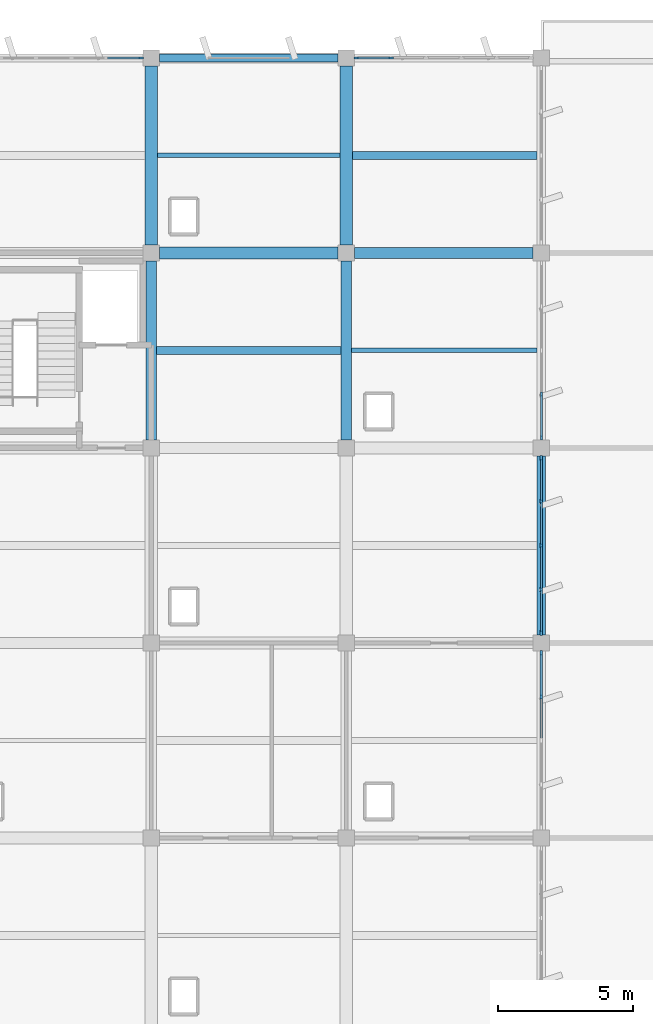
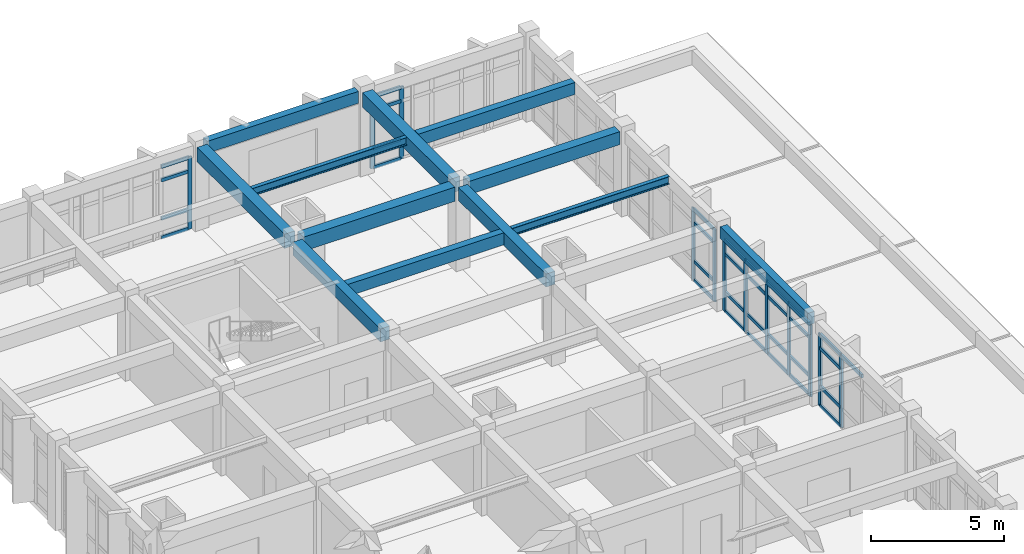
# One storey, part 24 of 62: 47 members, 10 beams, 5 elements without a shape of their own.
"""IFC4 building model written with IfcOpenShell, lengths in metres."""

from ifc_helpers import new_model, si_unit, direction, frame, origin, origin_2d, place, context, subcontext, project, spatial, rectangle, i_section, extrude, material, layer, layer_set, material_profile, profile_set, type_object, element, aggregate, save


model = new_model("IFC4")

# Units and contexts
model_context = context("Model", 3, precision=1e-05, world=origin(), true_north=direction((0.0, 1.0)))
body_context = subcontext(model_context, "Body", "Model", "MODEL_VIEW")
ifc_project = project(units=[si_unit("LENGTHUNIT", "METRE"), si_unit("AREAUNIT", "SQUARE_METRE"), si_unit("VOLUMEUNIT", "CUBIC_METRE"), si_unit("PLANEANGLEUNIT", "RADIAN"), si_unit("MASSUNIT", "GRAM", prefix="KILO")], contexts=[model_context])

# Site, building, storey
site_placement = place(None, origin())
site = spatial("IfcSite", under=ifc_project, at=site_placement, CompositionType="ELEMENT")
building_placement = place(site_placement, origin())
building = spatial("IfcBuilding", under=site, at=building_placement, Name="Kavelor Marine Aquarium", CompositionType="ELEMENT")
storey_placement = place(building_placement, frame((0.0, 0.0, 13.5)))
storey = spatial("IfcBuildingStorey", under=building, at=storey_placement, Name="L03", CompositionType="ELEMENT", Elevation=13.5)

# Beams
ifc_material_1 = material(Name="Concrete C40/50", Category="concrete")
ifc_material_profile_1 = material_profile(ifc_material_1, rectangle(XDim=0.449951171875, YDim=0.64990234375, at=origin_2d()), Name="RC-BM 450x650")
ifc_profile_set_1 = profile_set([ifc_material_profile_1], Name="Concrete C40/50")
beam_type_1 = type_object("IfcBeamType", Name="BM-B3", PredefinedType="BEAM", material=ifc_profile_set_1)
beam_1_placement = place(storey_placement, frame((133.10009765625, 103.60009765625, 3.534912109375), z_axis=(1.0, 0.0, 0.0), x_axis=(0.0, 1.0, 0.0)))
element("IfcBeam", 1, at=beam_1_placement, inside=storey, type_object=beam_type_1, Name="bm:x:L03:L04:18_14", PredefinedType="BEAM", context=body_context, shape_type="SweptSolid", body=[
    extrude(rectangle(XDim=0.449951171875, YDim=0.64990234375, at=origin_2d()), origin(), (0.0, 0.0, 1.0), 6.599853515625),
])
for number, where, z_axis, x_axis, name in (
    (2, (132.800048828125, 103.89990234375, 3.534912109375), (0.0, 1.0, 0.0), (-1.0, 0.0, 0.0), "bm:y:L03:L04:18_14"),
    (3, (140.0, 103.89990234375, 3.534912109375), (0.0, 1.0, 0.0), (-1.0, 0.0, 0.0), "bm:y:L03:L04:19_14"),
):
    element("IfcBeam", number, at=place(storey_placement, frame(where, z_axis=z_axis, x_axis=x_axis)), inside=storey, type_object=beam_type_1, Name=name, PredefinedType="BEAM", context=body_context, shape_type="SweptSolid", body=[
        extrude(rectangle(XDim=0.449951171875, YDim=0.64990234375, at=origin_2d()), origin(), (0.0, 0.0, 1.0), 6.60009765625),
    ])
ifc_material_2 = material(Name="Concrete C40/50", Category="concrete")
ifc_material_profile_2 = material_profile(ifc_material_2, rectangle(XDim=0.39990234375, YDim=0.60009765625, at=origin_2d()), Name="RC-BM 400x600")
ifc_profile_set_2 = profile_set([ifc_material_profile_2], Name="Concrete C40/50")
beam_type_2 = type_object("IfcBeamType", Name="BM-B4", PredefinedType="BEAM", material=ifc_profile_set_2)
beam_2_placement = place(storey_placement, frame((140.300048828125, 103.60009765625, 3.580078125), z_axis=(1.0, 0.0, 0.0), x_axis=(0.0, 1.0, 0.0)))
element("IfcBeam", 4, at=beam_2_placement, inside=storey, type_object=beam_type_2, Name="bm:x:L03:L04:19_14", PredefinedType="BEAM", context=body_context, shape_type="SweptSolid", body=[
    extrude(rectangle(XDim=0.39990234375, YDim=0.60009765625, at=origin_2d()), origin(), (0.0, 0.0, 1.0), 6.599853515625),
])
for number, where, z_axis, x_axis, name in (
    (5, (132.800048828125, 96.699951171875, 3.56005859375), (0.0, 1.0, 0.0), (-1.0, 0.0, 0.0), "bm:y:L03:L04:18_13"),
    (6, (140.0, 96.699951171875, 3.56005859375), (0.0, 1.0, 0.0), (-1.0, 0.0, 0.0), "bm:y:L03:L04:19_13"),
):
    element("IfcBeam", number, at=place(storey_placement, frame(where, z_axis=z_axis, x_axis=x_axis)), inside=storey, type_object=beam_type_2, Name=name, PredefinedType="BEAM", context=body_context, shape_type="SweptSolid", body=[
        extrude(rectangle(XDim=0.39990234375, YDim=0.60009765625, at=origin_2d()), origin(), (0.0, 0.0, 1.0), 6.60009765625),
    ])
ifc_material_3 = material(Name="Concrete C40/50", Category="concrete")
ifc_material_profile_3 = material_profile(ifc_material_3, rectangle(XDim=0.300048828125, YDim=0.550048828125, at=origin_2d()), Name="RC-JS 300x550")
ifc_profile_set_3 = profile_set([ifc_material_profile_3], Name="Concrete C40/50")
beam_type_3 = type_object("IfcBeamType", Name="BM-JS2", PredefinedType="JOIST", material=ifc_profile_set_3)
beam_3_placement = place(storey_placement, frame((133.0, 100.0, 3.5849609375), z_axis=(1.0, 0.0, 0.0), x_axis=(0.0, 1.0, 0.0)))
element("IfcBeam", 7, at=beam_3_placement, inside=storey, type_object=beam_type_3, Name="js:L03:L04:18_13", PredefinedType="JOIST", context=body_context, shape_type="SweptSolid", body=[
    extrude(rectangle(XDim=0.300048828125, YDim=0.550048828125, at=origin_2d()), origin(), (0.0, 0.0, 1.0), 6.800048828125),
])
beam_4_placement = place(storey_placement, frame((140.22509765625, 107.199951171875, 3.60498046875), z_axis=(1.0, 0.0, 0.0), x_axis=(0.0, 1.0, 0.0)))
element("IfcBeam", 8, at=beam_4_placement, inside=storey, type_object=beam_type_3, Name="js:L03:L04:19_14", PredefinedType="JOIST", context=body_context, shape_type="SweptSolid", body=[
    extrude(rectangle(XDim=0.300048828125, YDim=0.550048828125, at=origin_2d()), origin(), (0.0, 0.0, 1.0), 6.824951171875),
])
ifc_material_4 = material(Name="Concrete C40/50", Category="concrete")
ifc_material_profile_4 = material_profile(ifc_material_4, rectangle(XDim=0.300048828125, YDim=0.550048828125, at=origin_2d()), Name="RC-SP 300x550")
ifc_profile_set_4 = profile_set([ifc_material_profile_4], Name="Concrete C40/50")
beam_type_4 = type_object("IfcBeamType", Name="BM-SP2", PredefinedType="SPANDREL", material=ifc_profile_set_4)
beam_5_placement = place(storey_placement, frame((133.10009765625, 110.800048828125, 3.5849609375), z_axis=(1.0, 0.0, 0.0), x_axis=(0.0, 1.0, 0.0)))
element("IfcBeam", 9, at=beam_5_placement, inside=storey, type_object=beam_type_4, Name="bm:x:L03:L04:18_15", PredefinedType="SPANDREL", context=body_context, shape_type="SweptSolid", body=[
    extrude(rectangle(XDim=0.300048828125, YDim=0.550048828125, at=origin_2d()), origin(), (0.0, 0.0, 1.0), 6.599853515625),
])
beam_6_placement = place(storey_placement, frame((147.199951171875, 89.5, 3.60498046875), z_axis=(0.0, 1.0, 0.0), x_axis=(-1.0, 0.0, 0.0)))
element("IfcBeam", 10, at=beam_6_placement, inside=storey, type_object=beam_type_4, Name="bm:y:L03:L04:20_12", PredefinedType="SPANDREL", context=body_context, shape_type="SweptSolid", body=[
    extrude(rectangle(XDim=0.300048828125, YDim=0.550048828125, at=origin_2d()), origin(), (0.0, 0.0, 1.0), 6.60009765625),
])

# Curtain wall, members
ifc_material_5 = material(Name="Thermally Broken Aluminium and Low-E Glass", Category="aluminium")
ifc_layer_1 = layer(ifc_material_5, 0.219970703125)
ifc_layer_set_1 = layer_set([ifc_layer_1], Name="CW-SYS10")
curtain_wall_type_1 = type_object("IfcCurtainWallType", Name="CW-SYS10", PredefinedType="USERDEFINED", material=ifc_layer_set_1)
curtain_wall_1_placement = place(storey_placement, origin())
curtain_wall_1 = element("IfcCurtainWall", 11, at=curtain_wall_1_placement, inside=storey, type_object=curtain_wall_type_1, Name="cw:x:L03:19_15", ObjectType="Curtain Wall", PredefinedType="USERDEFINED")
ifc_material_6 = material(Name="Anodised Aluminium Alloy 6063-T6", Category="aluminium")
ifc_material_profile_5 = material_profile(ifc_material_6, rectangle(XDim=0.074951171875, YDim=0.179931640625, at=origin_2d()), Name="CW-MUL 75x180")
ifc_profile_set_5 = profile_set([ifc_material_profile_5], Name="Anodised Aluminium Alloy 6063-T6")
member_type_1 = type_object("IfcMemberType", Name="CWM-1", PredefinedType="MULLION", material=ifc_profile_set_5)
member_1_placement = place(storey_placement, frame((140.382568359375, 110.800048828125, 0.0), z_axis=(0.0, 0.0, 1.0), x_axis=(0.0, 1.0, 0.0)))
member_1 = element("IfcMember", 12, at=member_1_placement, type_object=member_type_1, Name="CW10 mullion 1", PredefinedType="MULLION", context=body_context, shape_type="SweptSolid", body=[
    extrude(rectangle(XDim=0.074951171875, YDim=0.179931640625, at=origin_2d()), origin(), (0.0, 0.0, 1.0), 3.320068359375),
])
member_2_placement = place(storey_placement, frame((141.64697265625, 110.800048828125, 0.0), z_axis=(0.0, 0.0, 1.0), x_axis=(0.0, 1.0, 0.0)))
member_2 = element("IfcMember", 13, at=member_2_placement, type_object=member_type_1, Name="CW10 mullion 2", PredefinedType="MULLION", context=body_context, shape_type="SweptSolid", body=[
    extrude(rectangle(XDim=0.074951171875, YDim=0.179931640625, at=origin_2d()), origin(), (0.0, 0.0, 1.0), 3.320068359375),
])

ifc_material_7 = material(Name="Thermally Broken Aluminium and Low-E Glass", Category="aluminium")
ifc_layer_2 = layer(ifc_material_7, 0.243896484375)
ifc_layer_set_2 = layer_set([ifc_layer_2], Name="CW-SYS13")
curtain_wall_type_2 = type_object("IfcCurtainWallType", Name="CW-SYS13", PredefinedType="USERDEFINED", material=ifc_layer_set_2)
curtain_wall_2_placement = place(storey_placement, origin())
curtain_wall_2 = element("IfcCurtainWall", 14, at=curtain_wall_2_placement, inside=storey, type_object=curtain_wall_type_2, Name="cw:y:L03:20_13", ObjectType="Curtain Wall", PredefinedType="USERDEFINED")
member_3_placement = place(storey_placement, frame((147.199951171875, 96.782470703125, 0.0), z_axis=(0.0, 0.0, 1.0), x_axis=(-1.0, 0.0, 0.0)))
member_3 = element("IfcMember", 15, at=member_3_placement, type_object=member_type_1, Name="CW13 mullion 1", PredefinedType="MULLION", context=body_context, shape_type="SweptSolid", body=[
    extrude(rectangle(XDim=0.074951171875, YDim=0.179931640625, at=origin_2d()), origin(), (0.0, 0.0, 1.0), 3.320068359375),
])
member_4_placement = place(storey_placement, frame((147.199951171875, 98.37255859375, 0.0), z_axis=(0.0, 0.0, 1.0), x_axis=(-1.0, 0.0, 0.0)))
member_4 = element("IfcMember", 16, at=member_4_placement, type_object=member_type_1, Name="CW13 mullion 2", PredefinedType="MULLION", context=body_context, shape_type="SweptSolid", body=[
    extrude(rectangle(XDim=0.074951171875, YDim=0.179931640625, at=origin_2d()), origin(), (0.0, 0.0, 1.0), 3.320068359375),
])

# Curtain wall, member
ifc_material_8 = material(Name="Thermally Broken Aluminium and Low-E Glass", Category="aluminium")
ifc_layer_3 = layer(ifc_material_8, 0.2041015625)
ifc_layer_set_3 = layer_set([ifc_layer_3], Name="CW-SYS8")
curtain_wall_type_3 = type_object("IfcCurtainWallType", Name="CW-SYS8", PredefinedType="USERDEFINED", material=ifc_layer_set_3)
curtain_wall_3_placement = place(storey_placement, origin())
curtain_wall_3 = element("IfcCurtainWall", 17, at=curtain_wall_3_placement, inside=storey, type_object=curtain_wall_type_3, Name="cw:x:L03:17_15", ObjectType="Curtain Wall", PredefinedType="USERDEFINED")
ifc_material_9 = material(Name="Anodised Aluminium Alloy 6063-T6", Category="aluminium")
ifc_material_profile_6 = material_profile(ifc_material_9, rectangle(XDim=0.080078125, YDim=0.18505859375, at=origin_2d()), Name="CW-MUL 80x185")
ifc_profile_set_6 = profile_set([ifc_material_profile_6], Name="Anodised Aluminium Alloy 6063-T6")
member_type_2 = type_object("IfcMemberType", Name="CWM-2", PredefinedType="MULLION", material=ifc_profile_set_6)
member_5_placement = place(storey_placement, frame((132.422607421875, 110.800048828125, 0.0), z_axis=(0.0, 0.0, 1.0), x_axis=(0.0, 1.0, 0.0)))
member_5 = element("IfcMember", 18, at=member_5_placement, type_object=member_type_2, Name="CW08 mullion 6", PredefinedType="MULLION", context=body_context, shape_type="SweptSolid", body=[
    extrude(rectangle(XDim=0.080078125, YDim=0.18505859375, at=origin_2d()), origin(), (0.0, 0.0, 1.0), 3.320068359375),
])

# Curtain wall, members
ifc_material_10 = material(Name="Thermally Broken Aluminium and Low-E Glass", Category="aluminium")
ifc_layer_4 = layer(ifc_material_10, 0.22802734375)
ifc_layer_set_4 = layer_set([ifc_layer_4], Name="CW-SYS11")
curtain_wall_type_4 = type_object("IfcCurtainWallType", Name="CW-SYS11", PredefinedType="USERDEFINED", material=ifc_layer_set_4)
curtain_wall_4_placement = place(storey_placement, origin())
curtain_wall_4 = element("IfcCurtainWall", 19, at=curtain_wall_4_placement, inside=storey, type_object=curtain_wall_type_4, Name="cw:y:L03:20_11", ObjectType="Curtain Wall", PredefinedType="USERDEFINED")
member_6_placement = place(storey_placement, frame((147.199951171875, 87.2275390625, 0.0), z_axis=(0.0, 0.0, 1.0), x_axis=(-1.0, 0.0, 0.0)))
member_6 = element("IfcMember", 20, at=member_6_placement, type_object=member_type_2, Name="CW11 mullion 4", PredefinedType="MULLION", context=body_context, shape_type="SweptSolid", body=[
    extrude(rectangle(XDim=0.080078125, YDim=0.18505859375, at=origin_2d()), origin(), (0.0, 0.0, 1.0), 3.320068359375),
])
member_7_placement = place(storey_placement, frame((147.199951171875, 88.822509765625, 0.0), z_axis=(0.0, 0.0, 1.0), x_axis=(-1.0, 0.0, 0.0)))
member_7 = element("IfcMember", 21, at=member_7_placement, type_object=member_type_2, Name="CW11 mullion 5", PredefinedType="MULLION", context=body_context, shape_type="SweptSolid", body=[
    extrude(rectangle(XDim=0.080078125, YDim=0.18505859375, at=origin_2d()), origin(), (0.0, 0.0, 1.0), 3.320068359375),
])

ifc_material_11 = material(Name="Thermally Broken Aluminium and Low-E Glass", Category="aluminium")
ifc_layer_5 = layer(ifc_material_11, 0.236083984375)
ifc_layer_set_5 = layer_set([ifc_layer_5], Name="CW-SYS12")
curtain_wall_type_5 = type_object("IfcCurtainWallType", Name="CW-SYS12", PredefinedType="USERDEFINED", material=ifc_layer_set_5)
curtain_wall_5_placement = place(storey_placement, origin())
curtain_wall_5 = element("IfcCurtainWall", 22, at=curtain_wall_5_placement, inside=storey, type_object=curtain_wall_type_5, Name="cw:y:L03:20_12", ObjectType="Curtain Wall", PredefinedType="USERDEFINED")
ifc_material_12 = material(Name="Anodised Aluminium Alloy 6063-T6", Category="aluminium")
ifc_material_profile_7 = material_profile(ifc_material_12, rectangle(XDim=0.0849609375, YDim=0.18994140625, at=origin_2d()), Name="CW-MUL 85x190")
ifc_profile_set_7 = profile_set([ifc_material_profile_7], Name="Anodised Aluminium Alloy 6063-T6")
member_type_3 = type_object("IfcMemberType", Name="CWM-3", PredefinedType="MULLION", material=ifc_profile_set_7)
member_8_placement = place(storey_placement, frame((147.199951171875, 89.574951171875, 0.0), z_axis=(0.0, 0.0, 1.0), x_axis=(-1.0, 0.0, 0.0)))
member_8 = element("IfcMember", 23, at=member_8_placement, type_object=member_type_3, Name="CW12 mullion 1", PredefinedType="MULLION", context=body_context, shape_type="SweptSolid", body=[
    extrude(rectangle(XDim=0.0849609375, YDim=0.18994140625, at=origin_2d()), origin(), (0.0, 0.0, 1.0), 3.320068359375),
])
member_9_placement = place(storey_placement, frame((147.199951171875, 91.172607421875, 0.0), z_axis=(0.0, 0.0, 1.0), x_axis=(-1.0, 0.0, 0.0)))
member_9 = element("IfcMember", 24, at=member_9_placement, type_object=member_type_3, Name="CW12 mullion 2", PredefinedType="MULLION", context=body_context, shape_type="SweptSolid", body=[
    extrude(rectangle(XDim=0.0849609375, YDim=0.18994140625, at=origin_2d()), origin(), (0.0, 0.0, 1.0), 3.320068359375),
])
member_10_placement = place(storey_placement, frame((147.199951171875, 92.800048828125, 0.0), z_axis=(0.0, 0.0, 1.0), x_axis=(-1.0, 0.0, 0.0)))
member_10 = element("IfcMember", 25, at=member_10_placement, type_object=member_type_3, Name="CW12 mullion 3", PredefinedType="MULLION", context=body_context, shape_type="SweptSolid", body=[
    extrude(rectangle(XDim=0.0849609375, YDim=0.18994140625, at=origin_2d()), origin(), (0.0, 0.0, 1.0), 3.320068359375),
])
member_11_placement = place(storey_placement, frame((147.199951171875, 94.427490234375, 0.0), z_axis=(0.0, 0.0, 1.0), x_axis=(-1.0, 0.0, 0.0)))
member_11 = element("IfcMember", 26, at=member_11_placement, type_object=member_type_3, Name="CW12 mullion 4", PredefinedType="MULLION", context=body_context, shape_type="SweptSolid", body=[
    extrude(rectangle(XDim=0.0849609375, YDim=0.18994140625, at=origin_2d()), origin(), (0.0, 0.0, 1.0), 3.320068359375),
])
member_12_placement = place(storey_placement, frame((147.199951171875, 96.02490234375, 0.0), z_axis=(0.0, 0.0, 1.0), x_axis=(-1.0, 0.0, 0.0)))
member_12 = element("IfcMember", 27, at=member_12_placement, type_object=member_type_3, Name="CW12 mullion 5", PredefinedType="MULLION", context=body_context, shape_type="SweptSolid", body=[
    extrude(rectangle(XDim=0.0849609375, YDim=0.18994140625, at=origin_2d()), origin(), (0.0, 0.0, 1.0), 3.320068359375),
])
ifc_material_13 = material(Name="Anodised Aluminium Alloy 6063-T6", Category="aluminium")
ifc_material_profile_8 = material_profile(ifc_material_13, rectangle(XDim=0.074951171875, YDim=0.14990234375, at=origin_2d()), Name="CW-TRN 75x150")
ifc_profile_set_8 = profile_set([ifc_material_profile_8], Name="Anodised Aluminium Alloy 6063-T6")
member_type_4 = type_object("IfcMemberType", Name="CWT-1", PredefinedType="USERDEFINED", material=ifc_profile_set_8)
member_13_placement = place(storey_placement, frame((147.199951171875, 89.60498046875, 0.03759765625), z_axis=(0.0, 1.0, 0.0), x_axis=(-1.0, 0.0, 0.0)))
member_13 = element("IfcMember", 28, at=member_13_placement, type_object=member_type_4, Name="CW12 transom 1.1", ObjectType="TRANSOM", PredefinedType="USERDEFINED", context=body_context, shape_type="SweptSolid", body=[
    extrude(rectangle(XDim=0.074951171875, YDim=0.14990234375, at=origin_2d()), origin(), (0.0, 0.0, 1.0), 1.53759765625),
])
member_14_placement = place(storey_placement, frame((147.199951171875, 89.60498046875, 0.89990234375), z_axis=(0.0, 1.0, 0.0), x_axis=(-1.0, 0.0, 0.0)))
member_14 = element("IfcMember", 29, at=member_14_placement, type_object=member_type_4, Name="CW12 transom 1.2", ObjectType="TRANSOM", PredefinedType="USERDEFINED", context=body_context, shape_type="SweptSolid", body=[
    extrude(rectangle(XDim=0.074951171875, YDim=0.14990234375, at=origin_2d()), origin(), (0.0, 0.0, 1.0), 1.53759765625),
])
member_15_placement = place(storey_placement, frame((147.199951171875, 89.60498046875, 2.669921875), z_axis=(0.0, 1.0, 0.0), x_axis=(-1.0, 0.0, 0.0)))
member_15 = element("IfcMember", 30, at=member_15_placement, type_object=member_type_4, Name="CW12 transom 1.3", ObjectType="TRANSOM", PredefinedType="USERDEFINED", context=body_context, shape_type="SweptSolid", body=[
    extrude(rectangle(XDim=0.074951171875, YDim=0.14990234375, at=origin_2d()), origin(), (0.0, 0.0, 1.0), 1.53759765625),
])
member_16_placement = place(storey_placement, frame((147.199951171875, 89.60498046875, 3.282470703125), z_axis=(0.0, 1.0, 0.0), x_axis=(-1.0, 0.0, 0.0)))
member_16 = element("IfcMember", 31, at=member_16_placement, type_object=member_type_4, Name="CW12 transom 1.4", ObjectType="TRANSOM", PredefinedType="USERDEFINED", context=body_context, shape_type="SweptSolid", body=[
    extrude(rectangle(XDim=0.074951171875, YDim=0.14990234375, at=origin_2d()), origin(), (0.0, 0.0, 1.0), 1.53759765625),
])
member_17_placement = place(storey_placement, frame((147.199951171875, 91.202392578125, 0.03759765625), z_axis=(0.0, 1.0, 0.0), x_axis=(-1.0, 0.0, 0.0)))
member_17 = element("IfcMember", 32, at=member_17_placement, type_object=member_type_4, Name="CW12 transom 2.1", ObjectType="TRANSOM", PredefinedType="USERDEFINED", context=body_context, shape_type="SweptSolid", body=[
    extrude(rectangle(XDim=0.074951171875, YDim=0.14990234375, at=origin_2d()), origin(), (0.0, 0.0, 1.0), 1.567626953125),
])
member_18_placement = place(storey_placement, frame((147.199951171875, 91.202392578125, 0.89990234375), z_axis=(0.0, 1.0, 0.0), x_axis=(-1.0, 0.0, 0.0)))
member_18 = element("IfcMember", 33, at=member_18_placement, type_object=member_type_4, Name="CW12 transom 2.2", ObjectType="TRANSOM", PredefinedType="USERDEFINED", context=body_context, shape_type="SweptSolid", body=[
    extrude(rectangle(XDim=0.074951171875, YDim=0.14990234375, at=origin_2d()), origin(), (0.0, 0.0, 1.0), 1.567626953125),
])
member_19_placement = place(storey_placement, frame((147.199951171875, 91.202392578125, 2.669921875), z_axis=(0.0, 1.0, 0.0), x_axis=(-1.0, 0.0, 0.0)))
member_19 = element("IfcMember", 34, at=member_19_placement, type_object=member_type_4, Name="CW12 transom 2.3", ObjectType="TRANSOM", PredefinedType="USERDEFINED", context=body_context, shape_type="SweptSolid", body=[
    extrude(rectangle(XDim=0.074951171875, YDim=0.14990234375, at=origin_2d()), origin(), (0.0, 0.0, 1.0), 1.567626953125),
])
member_20_placement = place(storey_placement, frame((147.199951171875, 91.202392578125, 3.282470703125), z_axis=(0.0, 1.0, 0.0), x_axis=(-1.0, 0.0, 0.0)))
member_20 = element("IfcMember", 35, at=member_20_placement, type_object=member_type_4, Name="CW12 transom 2.4", ObjectType="TRANSOM", PredefinedType="USERDEFINED", context=body_context, shape_type="SweptSolid", body=[
    extrude(rectangle(XDim=0.074951171875, YDim=0.14990234375, at=origin_2d()), origin(), (0.0, 0.0, 1.0), 1.567626953125),
])
member_21_placement = place(storey_placement, frame((147.199951171875, 92.830078125, 0.03759765625), z_axis=(0.0, 1.0, 0.0), x_axis=(-1.0, 0.0, 0.0)))
member_21 = element("IfcMember", 36, at=member_21_placement, type_object=member_type_4, Name="CW12 transom 3.1", ObjectType="TRANSOM", PredefinedType="USERDEFINED", context=body_context, shape_type="SweptSolid", body=[
    extrude(rectangle(XDim=0.074951171875, YDim=0.14990234375, at=origin_2d()), origin(), (0.0, 0.0, 1.0), 1.5673828125),
])
member_22_placement = place(storey_placement, frame((147.199951171875, 92.830078125, 0.89990234375), z_axis=(0.0, 1.0, 0.0), x_axis=(-1.0, 0.0, 0.0)))
member_22 = element("IfcMember", 37, at=member_22_placement, type_object=member_type_4, Name="CW12 transom 3.2", ObjectType="TRANSOM", PredefinedType="USERDEFINED", context=body_context, shape_type="SweptSolid", body=[
    extrude(rectangle(XDim=0.074951171875, YDim=0.14990234375, at=origin_2d()), origin(), (0.0, 0.0, 1.0), 1.5673828125),
])
member_23_placement = place(storey_placement, frame((147.199951171875, 92.830078125, 2.669921875), z_axis=(0.0, 1.0, 0.0), x_axis=(-1.0, 0.0, 0.0)))
member_23 = element("IfcMember", 38, at=member_23_placement, type_object=member_type_4, Name="CW12 transom 3.3", ObjectType="TRANSOM", PredefinedType="USERDEFINED", context=body_context, shape_type="SweptSolid", body=[
    extrude(rectangle(XDim=0.074951171875, YDim=0.14990234375, at=origin_2d()), origin(), (0.0, 0.0, 1.0), 1.5673828125),
])
member_24_placement = place(storey_placement, frame((147.199951171875, 92.830078125, 3.282470703125), z_axis=(0.0, 1.0, 0.0), x_axis=(-1.0, 0.0, 0.0)))
member_24 = element("IfcMember", 39, at=member_24_placement, type_object=member_type_4, Name="CW12 transom 3.4", ObjectType="TRANSOM", PredefinedType="USERDEFINED", context=body_context, shape_type="SweptSolid", body=[
    extrude(rectangle(XDim=0.074951171875, YDim=0.14990234375, at=origin_2d()), origin(), (0.0, 0.0, 1.0), 1.5673828125),
])
member_25_placement = place(storey_placement, frame((147.199951171875, 94.45751953125, 0.03759765625), z_axis=(0.0, 1.0, 0.0), x_axis=(-1.0, 0.0, 0.0)))
member_25 = element("IfcMember", 40, at=member_25_placement, type_object=member_type_4, Name="CW12 transom 4.1", ObjectType="TRANSOM", PredefinedType="USERDEFINED", context=body_context, shape_type="SweptSolid", body=[
    extrude(rectangle(XDim=0.074951171875, YDim=0.14990234375, at=origin_2d()), origin(), (0.0, 0.0, 1.0), 1.53759765625),
])
member_26_placement = place(storey_placement, frame((147.199951171875, 94.45751953125, 0.89990234375), z_axis=(0.0, 1.0, 0.0), x_axis=(-1.0, 0.0, 0.0)))
member_26 = element("IfcMember", 41, at=member_26_placement, type_object=member_type_4, Name="CW12 transom 4.2", ObjectType="TRANSOM", PredefinedType="USERDEFINED", context=body_context, shape_type="SweptSolid", body=[
    extrude(rectangle(XDim=0.074951171875, YDim=0.14990234375, at=origin_2d()), origin(), (0.0, 0.0, 1.0), 1.53759765625),
])
member_27_placement = place(storey_placement, frame((147.199951171875, 94.45751953125, 2.669921875), z_axis=(0.0, 1.0, 0.0), x_axis=(-1.0, 0.0, 0.0)))
member_27 = element("IfcMember", 42, at=member_27_placement, type_object=member_type_4, Name="CW12 transom 4.3", ObjectType="TRANSOM", PredefinedType="USERDEFINED", context=body_context, shape_type="SweptSolid", body=[
    extrude(rectangle(XDim=0.074951171875, YDim=0.14990234375, at=origin_2d()), origin(), (0.0, 0.0, 1.0), 1.53759765625),
])
member_28_placement = place(storey_placement, frame((147.199951171875, 94.45751953125, 3.282470703125), z_axis=(0.0, 1.0, 0.0), x_axis=(-1.0, 0.0, 0.0)))
member_28 = element("IfcMember", 43, at=member_28_placement, type_object=member_type_4, Name="CW12 transom 4.4", ObjectType="TRANSOM", PredefinedType="USERDEFINED", context=body_context, shape_type="SweptSolid", body=[
    extrude(rectangle(XDim=0.074951171875, YDim=0.14990234375, at=origin_2d()), origin(), (0.0, 0.0, 1.0), 1.53759765625),
])
aggregate(curtain_wall_5, [member_8, member_9, member_10, member_11, member_12, member_13, member_14, member_15, member_16, member_17, member_18, member_19, member_20, member_21, member_22, member_23, member_24, member_25, member_26, member_27, member_28])

# Member
member_29_placement = place(storey_placement, frame((147.199951171875, 96.820068359375, 0.03759765625), z_axis=(0.0, 1.0, 0.0), x_axis=(-1.0, 0.0, 0.0)))
member_29 = element("IfcMember", 44, at=member_29_placement, type_object=member_type_4, Name="CW13 transom 1.1", ObjectType="TRANSOM", PredefinedType="USERDEFINED", context=body_context, shape_type="SweptSolid", body=[
    extrude(rectangle(XDim=0.074951171875, YDim=0.14990234375, at=origin_2d()), origin(), (0.0, 0.0, 1.0), 1.514892578125),
])

member_30_placement = place(storey_placement, frame((147.199951171875, 96.820068359375, 0.89990234375), z_axis=(0.0, 1.0, 0.0), x_axis=(-1.0, 0.0, 0.0)))
member_30 = element("IfcMember", 45, at=member_30_placement, type_object=member_type_4, Name="CW13 transom 1.2", ObjectType="TRANSOM", PredefinedType="USERDEFINED", context=body_context, shape_type="SweptSolid", body=[
    extrude(rectangle(XDim=0.074951171875, YDim=0.14990234375, at=origin_2d()), origin(), (0.0, 0.0, 1.0), 1.514892578125),
])

member_31_placement = place(storey_placement, frame((147.199951171875, 96.820068359375, 2.669921875), z_axis=(0.0, 1.0, 0.0), x_axis=(-1.0, 0.0, 0.0)))
member_31 = element("IfcMember", 46, at=member_31_placement, type_object=member_type_4, Name="CW13 transom 1.3", ObjectType="TRANSOM", PredefinedType="USERDEFINED", context=body_context, shape_type="SweptSolid", body=[
    extrude(rectangle(XDim=0.074951171875, YDim=0.14990234375, at=origin_2d()), origin(), (0.0, 0.0, 1.0), 1.514892578125),
])

member_32_placement = place(storey_placement, frame((147.199951171875, 96.820068359375, 3.282470703125), z_axis=(0.0, 1.0, 0.0), x_axis=(-1.0, 0.0, 0.0)))
member_32 = element("IfcMember", 47, at=member_32_placement, type_object=member_type_4, Name="CW13 transom 1.4", ObjectType="TRANSOM", PredefinedType="USERDEFINED", context=body_context, shape_type="SweptSolid", body=[
    extrude(rectangle(XDim=0.074951171875, YDim=0.14990234375, at=origin_2d()), origin(), (0.0, 0.0, 1.0), 1.514892578125),
])

aggregate(curtain_wall_2, [member_3, member_4, member_29, member_30, member_31, member_32])

ifc_material_14 = material(Name="Anodised Aluminium Alloy 6063-T6", Category="aluminium")
ifc_material_profile_9 = material_profile(ifc_material_14, rectangle(XDim=0.080078125, YDim=0.155029296875, at=origin_2d()), Name="CW-TRN 80x155")
ifc_profile_set_9 = profile_set([ifc_material_profile_9], Name="Anodised Aluminium Alloy 6063-T6")
member_type_5 = type_object("IfcMemberType", Name="CWT-2", PredefinedType="USERDEFINED", material=ifc_profile_set_9)
member_33_placement = place(storey_placement, frame((131.185546875, 110.800048828125, 0.032470703125), z_axis=(1.0, 0.0, 0.0), x_axis=(0.0, 1.0, 0.0)))
member_33 = element("IfcMember", 48, at=member_33_placement, type_object=member_type_5, Name="CW08 transom 5.1", ObjectType="TRANSOM", PredefinedType="USERDEFINED", context=body_context, shape_type="SweptSolid", body=[
    extrude(rectangle(XDim=0.080078125, YDim=0.155029296875, at=origin_2d()), origin(), (0.0, 0.0, 1.0), 1.204345703125),
])

member_34_placement = place(storey_placement, frame((131.185546875, 110.800048828125, 0.89990234375), z_axis=(1.0, 0.0, 0.0), x_axis=(0.0, 1.0, 0.0)))
member_34 = element("IfcMember", 49, at=member_34_placement, type_object=member_type_5, Name="CW08 transom 5.2", ObjectType="TRANSOM", PredefinedType="USERDEFINED", context=body_context, shape_type="SweptSolid", body=[
    extrude(rectangle(XDim=0.080078125, YDim=0.155029296875, at=origin_2d()), origin(), (0.0, 0.0, 1.0), 1.204345703125),
])

member_35_placement = place(storey_placement, frame((131.185546875, 110.800048828125, 2.669921875), z_axis=(1.0, 0.0, 0.0), x_axis=(0.0, 1.0, 0.0)))
member_35 = element("IfcMember", 50, at=member_35_placement, type_object=member_type_5, Name="CW08 transom 5.3", ObjectType="TRANSOM", PredefinedType="USERDEFINED", context=body_context, shape_type="SweptSolid", body=[
    extrude(rectangle(XDim=0.080078125, YDim=0.155029296875, at=origin_2d()), origin(), (0.0, 0.0, 1.0), 1.204345703125),
])

member_36_placement = place(storey_placement, frame((131.185546875, 110.800048828125, 3.28759765625), z_axis=(1.0, 0.0, 0.0), x_axis=(0.0, 1.0, 0.0)))
member_36 = element("IfcMember", 51, at=member_36_placement, type_object=member_type_5, Name="CW08 transom 5.4", ObjectType="TRANSOM", PredefinedType="USERDEFINED", context=body_context, shape_type="SweptSolid", body=[
    extrude(rectangle(XDim=0.080078125, YDim=0.155029296875, at=origin_2d()), origin(), (0.0, 0.0, 1.0), 1.204345703125),
])

aggregate(curtain_wall_3, [member_5, member_33, member_34, member_35, member_36])

ifc_material_15 = material(Name="Anodised Aluminium Alloy 6063-T6", Category="aluminium")
ifc_material_profile_10 = material_profile(ifc_material_15, rectangle(XDim=0.0849609375, YDim=0.159912109375, at=origin_2d()), Name="CW-TRN 85x160")
ifc_profile_set_10 = profile_set([ifc_material_profile_10], Name="Anodised Aluminium Alloy 6063-T6")
member_type_6 = type_object("IfcMemberType", Name="CWT-3", PredefinedType="USERDEFINED", material=ifc_profile_set_10)
member_37_placement = place(storey_placement, frame((140.419921875, 110.800048828125, 0.030029296875), z_axis=(1.0, 0.0, 0.0), x_axis=(0.0, 1.0, 0.0)))
member_37 = element("IfcMember", 52, at=member_37_placement, type_object=member_type_6, Name="CW10 transom 1.1", ObjectType="TRANSOM", PredefinedType="USERDEFINED", context=body_context, shape_type="SweptSolid", body=[
    extrude(rectangle(XDim=0.0849609375, YDim=0.159912109375, at=origin_2d()), origin(), (0.0, 0.0, 1.0), 1.189697265625),
])

member_38_placement = place(storey_placement, frame((140.419921875, 110.800048828125, 0.89990234375), z_axis=(1.0, 0.0, 0.0), x_axis=(0.0, 1.0, 0.0)))
member_38 = element("IfcMember", 53, at=member_38_placement, type_object=member_type_6, Name="CW10 transom 1.2", ObjectType="TRANSOM", PredefinedType="USERDEFINED", context=body_context, shape_type="SweptSolid", body=[
    extrude(rectangle(XDim=0.0849609375, YDim=0.159912109375, at=origin_2d()), origin(), (0.0, 0.0, 1.0), 1.189697265625),
])

member_39_placement = place(storey_placement, frame((140.419921875, 110.800048828125, 2.669921875), z_axis=(1.0, 0.0, 0.0), x_axis=(0.0, 1.0, 0.0)))
member_39 = element("IfcMember", 54, at=member_39_placement, type_object=member_type_6, Name="CW10 transom 1.3", ObjectType="TRANSOM", PredefinedType="USERDEFINED", context=body_context, shape_type="SweptSolid", body=[
    extrude(rectangle(XDim=0.0849609375, YDim=0.159912109375, at=origin_2d()), origin(), (0.0, 0.0, 1.0), 1.189697265625),
])

member_40_placement = place(storey_placement, frame((140.419921875, 110.800048828125, 3.2900390625), z_axis=(1.0, 0.0, 0.0), x_axis=(0.0, 1.0, 0.0)))
member_40 = element("IfcMember", 55, at=member_40_placement, type_object=member_type_6, Name="CW10 transom 1.4", ObjectType="TRANSOM", PredefinedType="USERDEFINED", context=body_context, shape_type="SweptSolid", body=[
    extrude(rectangle(XDim=0.0849609375, YDim=0.159912109375, at=origin_2d()), origin(), (0.0, 0.0, 1.0), 1.189697265625),
])

aggregate(curtain_wall_1, [member_1, member_2, member_37, member_38, member_39, member_40])

member_41_placement = place(storey_placement, frame((147.199951171875, 85.632568359375, 3.2900390625), z_axis=(0.0, 1.0, 0.0), x_axis=(-1.0, 0.0, 0.0)))
member_41 = element("IfcMember", 56, at=member_41_placement, type_object=member_type_6, Name="CW11 transom 3.4", ObjectType="TRANSOM", PredefinedType="USERDEFINED", context=body_context, shape_type="SweptSolid", body=[
    extrude(rectangle(XDim=0.0849609375, YDim=0.159912109375, at=origin_2d()), origin(), (0.0, 0.0, 1.0), 1.5625),
])

member_42_placement = place(storey_placement, frame((147.199951171875, 87.260009765625, 0.030029296875), z_axis=(0.0, 1.0, 0.0), x_axis=(-1.0, 0.0, 0.0)))
member_42 = element("IfcMember", 57, at=member_42_placement, type_object=member_type_6, Name="CW11 transom 4.1", ObjectType="TRANSOM", PredefinedType="USERDEFINED", context=body_context, shape_type="SweptSolid", body=[
    extrude(rectangle(XDim=0.0849609375, YDim=0.159912109375, at=origin_2d()), origin(), (0.0, 0.0, 1.0), 1.530029296875),
])

member_43_placement = place(storey_placement, frame((147.199951171875, 87.260009765625, 0.89990234375), z_axis=(0.0, 1.0, 0.0), x_axis=(-1.0, 0.0, 0.0)))
member_43 = element("IfcMember", 58, at=member_43_placement, type_object=member_type_6, Name="CW11 transom 4.2", ObjectType="TRANSOM", PredefinedType="USERDEFINED", context=body_context, shape_type="SweptSolid", body=[
    extrude(rectangle(XDim=0.0849609375, YDim=0.159912109375, at=origin_2d()), origin(), (0.0, 0.0, 1.0), 1.530029296875),
])

member_44_placement = place(storey_placement, frame((147.199951171875, 87.260009765625, 2.669921875), z_axis=(0.0, 1.0, 0.0), x_axis=(-1.0, 0.0, 0.0)))
member_44 = element("IfcMember", 59, at=member_44_placement, type_object=member_type_6, Name="CW11 transom 4.3", ObjectType="TRANSOM", PredefinedType="USERDEFINED", context=body_context, shape_type="SweptSolid", body=[
    extrude(rectangle(XDim=0.0849609375, YDim=0.159912109375, at=origin_2d()), origin(), (0.0, 0.0, 1.0), 1.530029296875),
])

member_45_placement = place(storey_placement, frame((147.199951171875, 87.260009765625, 3.2900390625), z_axis=(0.0, 1.0, 0.0), x_axis=(-1.0, 0.0, 0.0)))
member_45 = element("IfcMember", 60, at=member_45_placement, type_object=member_type_6, Name="CW11 transom 4.4", ObjectType="TRANSOM", PredefinedType="USERDEFINED", context=body_context, shape_type="SweptSolid", body=[
    extrude(rectangle(XDim=0.0849609375, YDim=0.159912109375, at=origin_2d()), origin(), (0.0, 0.0, 1.0), 1.530029296875),
])

aggregate(curtain_wall_4, [member_6, member_7, member_41, member_42, member_43, member_44, member_45])

# Members
ifc_material_16 = material(Name="Steel S355", Category="steel")
ifc_material_profile_11 = material_profile(ifc_material_16, i_section(OverallWidth=0.169921875, OverallDepth=0.360107421875, WebThickness=0.008056640625, FlangeThickness=0.0126953125, FilletRadius=0.01806640625, at=origin_2d()), Name="IPE 360")
ifc_profile_set_11 = profile_set([ifc_material_profile_11], Name="Steel S355")
member_type_7 = type_object("IfcMemberType", Name="PR-SJ3", PredefinedType="PURLIN", material=ifc_profile_set_11)
member_46_placement = place(storey_placement, frame((133.02490234375, 107.199951171875, 3.679931640625), z_axis=(1.0, 0.0, 0.0), x_axis=(0.0, 1.0, 0.0)))
element("IfcMember", 61, at=member_46_placement, inside=storey, type_object=member_type_7, Name="js:L03:L04:18_14", PredefinedType="PURLIN", context=body_context, shape_type="SweptSolid", body=[
    extrude(i_section(OverallWidth=0.169921875, OverallDepth=0.360107421875, WebThickness=0.008056640625, FlangeThickness=0.0126953125, FilletRadius=0.01806640625, at=origin_2d()), origin(), (0.0, 0.0, 1.0), 6.75),
])
member_47_placement = place(storey_placement, frame((140.199951171875, 100.0, 3.699951171875), z_axis=(1.0, 0.0, 0.0), x_axis=(0.0, 1.0, 0.0)))
element("IfcMember", 62, at=member_47_placement, inside=storey, type_object=member_type_7, Name="js:L03:L04:19_13", PredefinedType="PURLIN", context=body_context, shape_type="SweptSolid", body=[
    extrude(i_section(OverallWidth=0.169921875, OverallDepth=0.360107421875, WebThickness=0.008056640625, FlangeThickness=0.0126953125, FilletRadius=0.01806640625, at=origin_2d()), origin(), (0.0, 0.0, 1.0), 6.85009765625),
])

save(model, "model.ifc")
